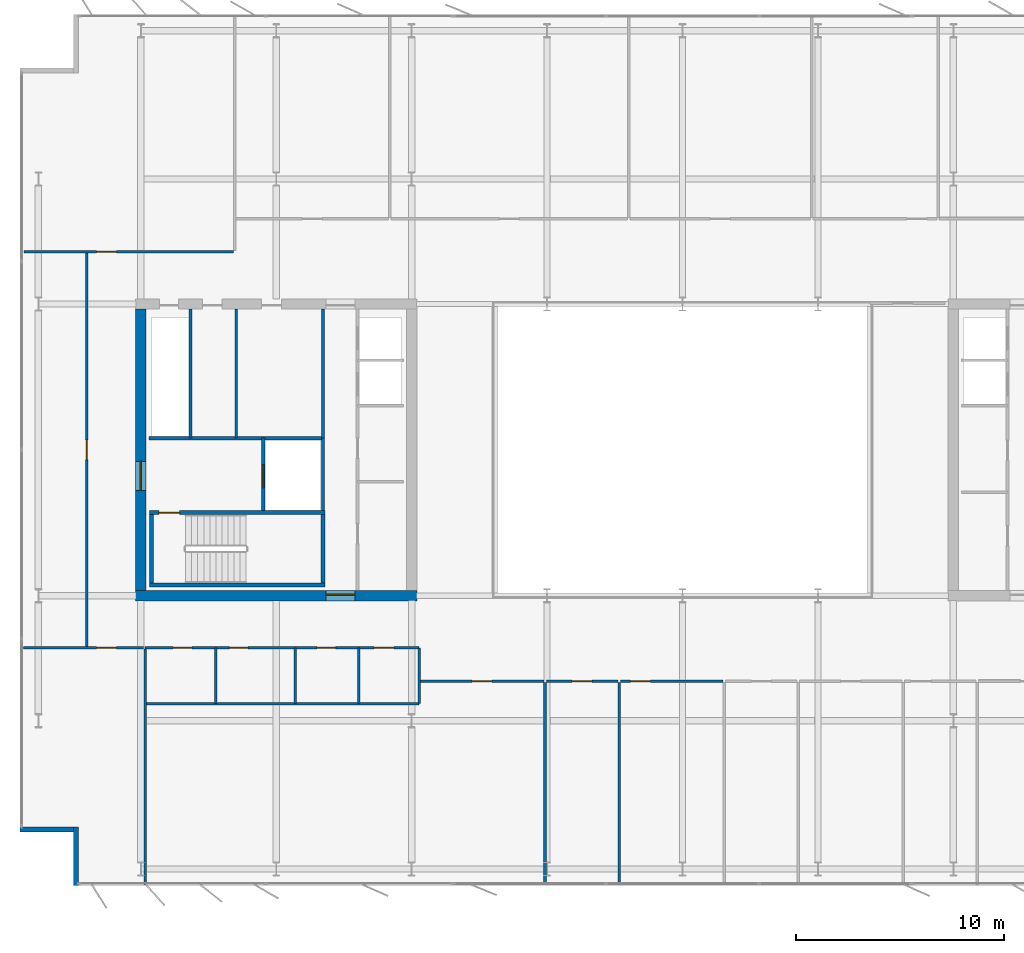
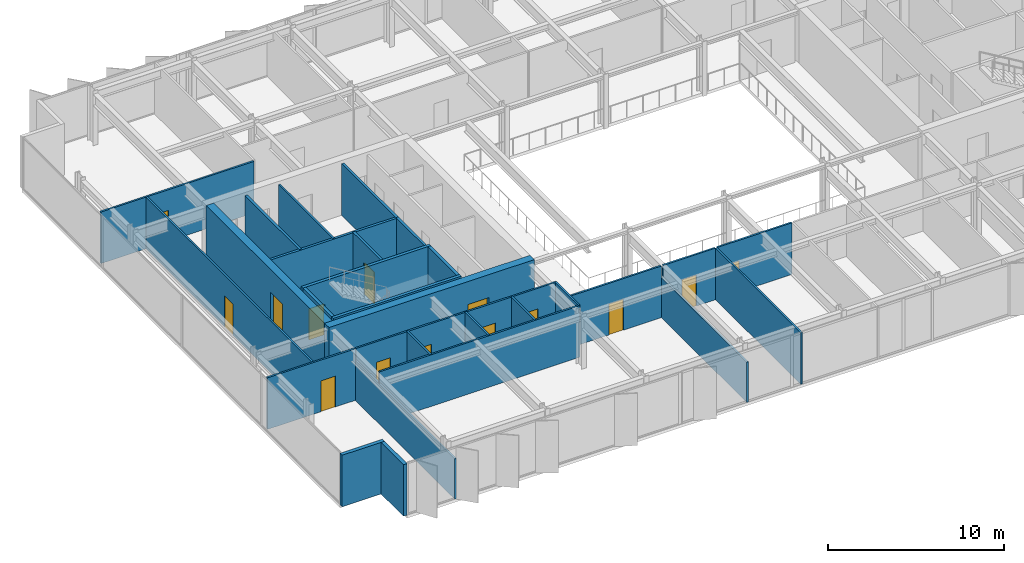
# One storey, part 12 of 19: 29 walls, 14 doors, 14 openings.
"""IFC4 building model written with IfcOpenShell, lengths in metres."""

import ifcopenshell
import ifcopenshell.guid

model = None  # the IFC model being written
_history = None  # IfcOwnerHistory: only IFC2X3 demands one
_inside = {}  # id of a spatial element -> (the spatial element, [elements in it])
_under = {}  # id of a project, library or spatial element -> (it, [spatial elements below it])
_declared = {}  # id of a project -> (the project, [libraries it declares])
_typed = {}  # id of a type object -> (the type object, [elements of that type])
_made_of = {}  # id of a material, layer set ... -> (it, [elements and type objects made of it])


def new_model(schema):
    """Start an empty IFC model of exactly this schema.

    Asked for "IFC4X3", IfcOpenShell would pick the latest addendum, in which some entities
    have other attributes; the version numbers below select the first issue.
    IFC2X3 requires an IfcOwnerHistory on every rooted entity: one is made here for all.
    """
    global model, _history
    if schema == "IFC4X3":
        model = ifcopenshell.file(schema_version=(4, 3, 0, 0))
    else:
        model = ifcopenshell.file(schema=schema)
    _inside.clear()
    _under.clear()
    _declared.clear()
    _typed.clear()
    _made_of.clear()
    _history = None
    if model.schema == "IFC2X3":
        org = make("IfcOrganization", Name="unknown")
        user = make(
            "IfcPersonAndOrganization",
            ThePerson=make("IfcPerson", FamilyName="unknown"),
            TheOrganization=org,
        )
        app = make(
            "IfcApplication",
            ApplicationDeveloper=org,
            Version="unknown",
            ApplicationFullName="unknown",
            ApplicationIdentifier="unknown",
        )
        _history = make(
            "IfcOwnerHistory",
            OwningUser=user,
            OwningApplication=app,
            ChangeAction="ADDED",
            CreationDate=0,
        )
    return model


def make(cls, **values):
    """One entity of the class cls with the attributes given. An attribute that is None is left unset."""
    return model.create_entity(
        cls, **{name: value for name, value in values.items() if value is not None}
    )


def rooted(cls, **values):
    """An entity with a GlobalId (a new one), such as an element, a storey or a relation."""
    return make(cls, GlobalId=ifcopenshell.guid.new(), OwnerHistory=_history, **values)


def si_unit(unit_type, name, prefix=None):
    """IfcSIUnit, for example si_unit("LENGTHUNIT", "METRE", prefix="MILLI")."""
    return make("IfcSIUnit", UnitType=unit_type, Prefix=prefix, Name=name)


def assignment(units):
    """IfcUnitAssignment: the units of a project."""
    return None if units is None else make("IfcUnitAssignment", Units=units)


def point(xyz):
    """IfcCartesianPoint."""
    return None if xyz is None else make("IfcCartesianPoint", Coordinates=xyz)


def direction(xyz):
    """IfcDirection."""
    return None if xyz is None else make("IfcDirection", DirectionRatios=xyz)


def frame(location, z_axis=None, x_axis=None):
    """IfcAxis2Placement3D, a coordinate frame: its origin and axes. An axis left out is left unset."""
    return make(
        "IfcAxis2Placement3D",
        Location=point(location),
        Axis=direction(z_axis),
        RefDirection=direction(x_axis),
    )


def frame_2d(location, x_axis=None):
    """IfcAxis2Placement2D, a coordinate frame in the plane: its origin and x axis."""
    return make(
        "IfcAxis2Placement2D", Location=point(location), RefDirection=direction(x_axis)
    )


def origin():
    """The frame at (0, 0, 0) with its axes left unset."""
    return frame((0.0, 0.0, 0.0))


def place(relative_to, where):
    """IfcLocalPlacement: puts the frame where relative to a parent placement (None: the world)."""
    return make(
        "IfcLocalPlacement", PlacementRelTo=relative_to, RelativePlacement=where
    )


def context(
    kind, dimensions, precision=None, world=None, true_north=None, identifier=None
):
    """IfcGeometricRepresentationContext, for example the 3D "Model" context."""
    return make(
        "IfcGeometricRepresentationContext",
        ContextIdentifier=identifier,
        ContextType=kind,
        CoordinateSpaceDimension=dimensions,
        Precision=precision,
        WorldCoordinateSystem=world,
        TrueNorth=true_north,
    )


def subcontext(parent, identifier, kind, view, scale=None):
    """IfcGeometricRepresentationSubContext, for example "Body" below "Model"."""
    return make(
        "IfcGeometricRepresentationSubContext",
        ContextIdentifier=identifier,
        ContextType=kind,
        ParentContext=parent,
        TargetScale=scale,
        TargetView=view,
    )


def project(units=None, contexts=None):
    """IfcProject with its units and contexts."""
    return rooted(
        "IfcProject",
        Name="project",
        RepresentationContexts=contexts,
        UnitsInContext=assignment(units),
    )


def spatial(cls, under=None, at=None, **own):
    """A site, building, storey or space (cls), placed at a placement, below another one or the project."""
    s = rooted(cls, ObjectPlacement=at, **own)
    if under is not None:
        _under.setdefault(under.id(), (under, []))[1].append(s)
    return s


def profile(cls, at=None, kind="AREA", **sizes):
    """A parametric profile (cls). Its sizes go by their IFC names, for example OverallWidth=200.0."""
    return make(cls, ProfileType=kind, Position=at, **sizes)


def rectangle(**sizes):
    """IfcRectangleProfileDef."""
    return profile("IfcRectangleProfileDef", **sizes)


def extrude(swept, where, along, depth):
    """IfcExtrudedAreaSolid: the profile swept, set in the frame where, extruded along a direction by depth."""
    return make(
        "IfcExtrudedAreaSolid",
        SweptArea=swept,
        Position=where,
        ExtrudedDirection=direction(along),
        Depth=depth,
    )


def shape(context_of_items, identifier, shape_type, items):
    """IfcShapeRepresentation: the items that make up one representation, for example the "Body"."""
    return make(
        "IfcShapeRepresentation",
        ContextOfItems=context_of_items,
        RepresentationIdentifier=identifier,
        RepresentationType=shape_type,
        Items=items,
    )


def material(Name=None, Category=None):
    """IfcMaterial."""
    return make("IfcMaterial", Name=Name, Category=Category)


def layer(
    of_material, thickness, ventilated=None, Name=None, Category=None, Priority=None
):
    """IfcMaterialLayer: one layer of a wall or slab, of a material (None: an air gap)."""
    return make(
        "IfcMaterialLayer",
        Material=of_material,
        LayerThickness=thickness,
        IsVentilated=ventilated,
        Name=Name,
        Category=Category,
        Priority=Priority,
    )


def layer_set(layers, Name=None):
    """IfcMaterialLayerSet."""
    return make("IfcMaterialLayerSet", MaterialLayers=layers, LayerSetName=Name)


def made_of(thing, what):
    """Note that an element or type object is made of a material, layer set ...; save() writes the relation."""
    if what is not None:
        _made_of.setdefault(what.id(), (what, []))[1].append(thing)
    return thing


def type_object(cls, material=None, **own):
    """A type object (cls), such as IfcWallType, which elements share."""
    return made_of(rooted(cls, **own), material)


def element(
    cls,
    number,
    at=None,
    inside=None,
    cuts=None,
    type_object=None,
    material=None,
    context=None,
    identifier="Body",
    shape_type=None,
    held_by="IfcProductDefinitionShape",
    body=None,
    shapes=None,
    **own,
):
    """One element of the class cls, such as IfcWall. Its Tag is "e" and its number.

    at: its placement. inside: the storey or other place that contains it. cuts: it is an
    opening in that element (IfcRelVoidsElement). A single representation is given by context,
    identifier, shape_type and body (its items); several are given by shapes. held_by: the class
    of the entity that holds the representations. save() writes the other relations.
    """
    e = rooted(cls, Tag="e%d" % number, ObjectPlacement=at, **own)
    if body is not None:
        shapes = [shape(context, identifier, shape_type, body)]
    if shapes is not None:
        e.Representation = make(held_by, Representations=shapes)
    if inside is not None:
        _inside.setdefault(inside.id(), (inside, []))[1].append(e)
    if cuts is not None:
        rooted(
            "IfcRelVoidsElement", RelatingBuildingElement=cuts, RelatedOpeningElement=e
        )
    if type_object is not None:
        _typed.setdefault(type_object.id(), (type_object, []))[1].append(e)
    return made_of(e, material)


def fill(opening, filler):
    """IfcRelFillsElement: the door or window that sits in an opening."""
    return rooted(
        "IfcRelFillsElement",
        RelatingOpeningElement=opening,
        RelatedBuildingElement=filler,
    )


def aggregate(whole, parts):
    """IfcRelAggregates: a whole, such as a stair, and the parts it consists of."""
    return rooted("IfcRelAggregates", RelatingObject=whole, RelatedObjects=parts)


def save(model, path):
    """Write the relations noted so far, then the file.

    IfcRelAggregates (storeys below a building ...), IfcRelContainedInSpatialStructure (elements
    in a storey), IfcRelDefinesByType, IfcRelAssociatesMaterial and IfcRelDeclares: one each for
    every whole, place, type object, material and project.
    """
    for whole, parts in _under.values():
        aggregate(whole, parts)
    for where, things in _inside.values():
        rooted(
            "IfcRelContainedInSpatialStructure",
            RelatedElements=things,
            RelatingStructure=where,
        )
    for kind, things in _typed.values():
        rooted("IfcRelDefinesByType", RelatedObjects=things, RelatingType=kind)
    for what, things in _made_of.values():
        rooted("IfcRelAssociatesMaterial", RelatedObjects=things, RelatingMaterial=what)
    for by, libraries in _declared.values():
        rooted("IfcRelDeclares", RelatingContext=by, RelatedDefinitions=libraries)
    model.write(path)


model = new_model("IFC4")

# Units and contexts
model_context = context("Model", 3, precision=1e-05, world=origin(), true_north=direction((0.0, 1.0)))
body_context = subcontext(model_context, "Body", "Model", "MODEL_VIEW")
ifc_project = project(units=[si_unit("LENGTHUNIT", "METRE"), si_unit("AREAUNIT", "SQUARE_METRE"), si_unit("VOLUMEUNIT", "CUBIC_METRE"), si_unit("PLANEANGLEUNIT", "RADIAN"), si_unit("MASSUNIT", "GRAM", prefix="KILO")], contexts=[model_context])

# Site, building, storey
site_placement = place(None, origin())
site = spatial("IfcSite", under=ifc_project, at=site_placement, CompositionType="ELEMENT")
building_placement = place(site_placement, origin())
building = spatial("IfcBuilding", under=site, at=building_placement, Name="Putna Gate Headquarters", CompositionType="ELEMENT")
storey_placement = place(building_placement, frame((0.0, 0.0, 267.0)))
storey = spatial("IfcBuildingStorey", under=building, at=storey_placement, Name="L67", CompositionType="ELEMENT", Elevation=267.0)

# Wall, opening, door
ifc_material_1 = material(Name="Concrete C50/60", Category="concrete")
ifc_layer_1 = layer(ifc_material_1, 0.5)
ifc_layer_set_1 = layer_set([ifc_layer_1], Name="Concrete C50/60")
wall_type_1 = type_object("IfcWallType", Name="WALL-CORE-500", PredefinedType="SHEAR", material=ifc_layer_set_1)
wall_1_placement = place(storey_placement, frame((12.75, 19.0, 0.0), z_axis=(0.0, 0.0, 1.0), x_axis=(1.0, 0.0, 0.0)))
wall_1 = element("IfcWall", 1, at=wall_1_placement, inside=storey, type_object=wall_type_1, Name="L67 WC Split Core Shear Wall S", PredefinedType="SHEAR", context=body_context, shape_type="SweptSolid", body=[
    extrude(rectangle(XDim=13.5, YDim=0.5, at=frame_2d((6.75, 0.0))), origin(), (0.0, 0.0, 1.0), 3.800048828125),
])
opening_1_placement = place(wall_1_placement, frame((9.1298828125, 0.0, 0.0)))
opening_1 = element("IfcOpeningElement", 2, at=opening_1_placement, cuts=wall_1, Name="Opening FDD-140", PredefinedType="OPENING", context=body_context, shape_type="SweptSolid", body=[
    extrude(rectangle(XDim=1.39990234375, YDim=2.199951171875, at=frame_2d((0.699951171875, 1.10009765625))), frame((0.0, 0.260009765625, 0.0), z_axis=(0.0, -1.0, 0.0), x_axis=(1.0, 0.0, 0.0)), (0.0, 0.0, 1.0), 0.52001953125),
])
ifc_material_2 = material(Name="Double steel fire door", Category="steel")
door_type_1 = type_object("IfcDoorType", Name="DOOR-FIRE-DBL-1400", OperationType="DOUBLE_DOOR_SINGLE_SWING", PredefinedType="DOOR", material=ifc_material_2)
door_1_placement = place(opening_1_placement, origin())
door_1 = element("IfcDoor", 3, at=door_1_placement, inside=storey, type_object=door_type_1, Name="L67 West Lift Lobby South Door", OperationType="DOUBLE_DOOR_SINGLE_SWING", OverallHeight=2.199951171875, OverallWidth=1.39990234375, PredefinedType="DOOR", context=body_context, shape_type="SweptSolid", body=[
    extrude(rectangle(XDim=1.39990234375, YDim=2.199951171875, at=frame_2d((0.699951171875, 1.10009765625))), frame((0.0, 0.0751953125, 0.0), z_axis=(0.0, -1.0, 0.0), x_axis=(1.0, 0.0, 0.0)), (0.0, 0.0, 1.0), 0.050048828125),
])
fill(opening_1, door_1)

wall_2_placement = place(storey_placement, frame((13.0, 19.25, 0.0), z_axis=(0.0, 0.0, 1.0), x_axis=(0.0, 1.0, 0.0)))
wall_2 = element("IfcWall", 4, at=wall_2_placement, inside=storey, type_object=wall_type_1, Name="L67 WC Split Core Shear Wall W", PredefinedType="SHEAR", context=body_context, shape_type="SweptSolid", body=[
    extrude(rectangle(XDim=13.5, YDim=0.5, at=frame_2d((6.75, 0.0))), origin(), (0.0, 0.0, 1.0), 3.800048828125),
])
opening_2_placement = place(wall_2_placement, frame((4.800048828125, 0.0, 0.0)))
opening_2 = element("IfcOpeningElement", 5, at=opening_2_placement, cuts=wall_2, Name="Opening FDD-140", PredefinedType="OPENING", context=body_context, shape_type="SweptSolid", body=[
    extrude(rectangle(XDim=1.39990234375, YDim=2.199951171875, at=frame_2d((0.699951171875, 1.10009765625))), frame((0.0, 0.260009765625, 0.0), z_axis=(0.0, -1.0, 0.0), x_axis=(1.0, 0.0, 0.0)), (0.0, 0.0, 1.0), 0.52001953125),
])
door_2_placement = place(opening_2_placement, origin())
door_2 = element("IfcDoor", 6, at=door_2_placement, inside=storey, type_object=door_type_1, Name="L67 West Firefighting Lobby Door", OperationType="DOUBLE_DOOR_SINGLE_SWING", OverallHeight=2.199951171875, OverallWidth=1.39990234375, PredefinedType="DOOR", context=body_context, shape_type="SweptSolid", body=[
    extrude(rectangle(XDim=1.39990234375, YDim=2.199951171875, at=frame_2d((0.699951171875, 1.10009765625))), frame((0.0, 0.02490234375, 0.0), z_axis=(0.0, -1.0, 0.0), x_axis=(1.0, 0.0, 0.0)), (0.0, 0.0, 1.0), 0.050048828125),
])
fill(opening_2, door_2)

# Walls
ifc_material_3 = material(Name="Precast concrete C40/50", Category="concrete")
ifc_layer_2 = layer(ifc_material_3, 0.239990234375)
ifc_layer_set_2 = layer_set([ifc_layer_2], Name="Precast concrete C40/50")
wall_type_2 = type_object("IfcWallType", Name="WALL-EXT-TERR-240", PredefinedType="STANDARD", material=ifc_layer_set_2)
wall_3_placement = place(storey_placement, frame((9.8798828125, 5.10009765625, 0.0), z_axis=(0.0, 0.0, 1.0), x_axis=(0.0, 1.0, 0.0)))
element("IfcWall", 7, at=wall_3_placement, inside=storey, type_object=wall_type_2, Name="L67 Corner Notch Return Wall SW-V", PredefinedType="STANDARD", context=body_context, shape_type="SweptSolid", body=[
    extrude(rectangle(XDim=2.7998046875, YDim=0.239990234375, at=frame_2d((1.39990234375, 0.0))), origin(), (0.0, 0.0, 1.0), 3.587890625),
])
wall_4_placement = place(storey_placement, frame((10.0, 7.780029296875, 0.0), z_axis=(0.0, 0.0, 1.0), x_axis=(-1.0, 0.0, 0.0)))
element("IfcWall", 8, at=wall_4_placement, inside=storey, type_object=wall_type_2, Name="L67 Corner Notch Return Wall SW-H", PredefinedType="STANDARD", context=body_context, shape_type="SweptSolid", body=[
    extrude(rectangle(XDim=2.800048828125, YDim=0.239990234375, at=frame_2d((1.39990234375, 0.0))), origin(), (0.0, 0.0, 1.0), 3.587890625),
])
ifc_material_4 = material(Name="Acoustic gypsum board on metal stud")
ifc_layer_3 = layer(ifc_material_4, 0.1201171875)
ifc_layer_set_3 = layer_set([ifc_layer_3], Name="Acoustic gypsum board on metal stud")
wall_type_3 = type_object("IfcWallType", Name="WALL-PART-120", PredefinedType="PARTITIONING", material=ifc_layer_set_3)
wall_5_placement = place(storey_placement, frame((13.199951171875, 5.1201171875, 0.0), z_axis=(0.0, 0.0, 1.0), x_axis=(0.0, 1.0, 0.0)))
element("IfcWall", 9, at=wall_5_placement, inside=storey, type_object=wall_type_3, Name="L67 Interior Wall PART-L67-SB-DIV-01", PredefinedType="PARTITIONING", context=body_context, shape_type="SweptSolid", body=[
    extrude(rectangle(XDim=11.31982421875, YDim=0.1201171875, at=frame_2d((5.659912109375, 0.0))), origin(), (0.0, 0.0, 1.0), 2.7880859375),
])
wall_6_placement = place(storey_placement, frame((32.39990234375, 5.1201171875, 0.0), z_axis=(0.0, 0.0, 1.0), x_axis=(0.0, 1.0, 0.0)))
element("IfcWall", 10, at=wall_6_placement, inside=storey, type_object=wall_type_3, Name="L67 Interior Wall PART-L67-SB-DIV-02", PredefinedType="PARTITIONING", context=body_context, shape_type="SweptSolid", body=[
    extrude(rectangle(XDim=9.719970703125, YDim=0.1201171875, at=frame_2d((4.85986328125, 0.0))), origin(), (0.0, 0.0, 1.0), 2.7880859375),
])
wall_7_placement = place(storey_placement, frame((35.964599609375, 5.1201171875, 0.0), z_axis=(0.0, 0.0, 1.0), x_axis=(0.0, 1.0, 0.0)))
element("IfcWall", 11, at=wall_7_placement, inside=storey, type_object=wall_type_3, Name="L67 Interior Wall PART-L67-SB-DIV-03", PredefinedType="PARTITIONING", context=body_context, shape_type="SweptSolid", body=[
    extrude(rectangle(XDim=9.719970703125, YDim=0.1201171875, at=frame_2d((4.85986328125, 0.0))), origin(), (0.0, 0.0, 1.0), 3.587890625),
])
ifc_material_5 = material(Name="Fire-rated gypsum board on metal stud")
ifc_layer_4 = layer(ifc_material_5, 0.1201171875)
ifc_layer_set_4 = layer_set([ifc_layer_4], Name="Fire-rated gypsum board on metal stud")
wall_type_4 = type_object("IfcWallType", Name="WALL-PART-120-RATED", PredefinedType="PARTITIONING", material=ifc_layer_set_4)
wall_8_placement = place(storey_placement, frame((17.570068359375, 26.56005859375, 0.0), z_axis=(0.0, 0.0, 1.0), x_axis=(0.0, 1.0, 0.0)))
element("IfcWall", 12, at=wall_8_placement, inside=storey, type_object=wall_type_4, Name="L67 Interior Wall CWINT-L67-WC-K1-DIV", PredefinedType="PARTITIONING", context=body_context, shape_type="SweptSolid", body=[
    extrude(rectangle(XDim=6.18994140625, YDim=0.1201171875, at=frame_2d((3.094970703125, 0.0))), origin(), (0.0, 0.0, 1.0), 3.587890625),
])

# Wall, openings, doors
wall_9_placement = place(storey_placement, frame((13.199951171875, 16.5, 0.0), z_axis=(0.0, 0.0, 1.0), x_axis=(1.0, 0.0, 0.0)))
wall_9 = element("IfcWall", 13, at=wall_9_placement, inside=storey, type_object=wall_type_4, Name="L67 Interior Wall PART-L67-SAN-CW", PredefinedType="PARTITIONING", context=body_context, shape_type="SweptSolid", body=[
    extrude(rectangle(XDim=13.16015625, YDim=0.1201171875, at=frame_2d((6.580078125, 0.0))), origin(), (0.0, 0.0, 1.0), 3.587890625),
])
opening_3_placement = place(wall_9_placement, frame((1.35009765625, 0.0, 0.0)))
opening_3 = element("IfcOpeningElement", 14, at=opening_3_placement, cuts=wall_9, Name="Opening FD-90", PredefinedType="OPENING", context=body_context, shape_type="SweptSolid", body=[
    extrude(rectangle(XDim=0.89990234375, YDim=2.14990234375, at=frame_2d((0.449951171875, 1.074951171875))), frame((0.0, 0.070068359375, 0.0), z_axis=(0.0, -1.0, 0.0), x_axis=(1.0, 0.0, 0.0)), (0.0, 0.0, 1.0), 0.14013671875),
])
opening_4_placement = place(wall_9_placement, frame((4.050048828125, 0.0, 0.0)))
opening_4 = element("IfcOpeningElement", 15, at=opening_4_placement, cuts=wall_9, Name="Opening FD-90", PredefinedType="OPENING", context=body_context, shape_type="SweptSolid", body=[
    extrude(rectangle(XDim=0.89990234375, YDim=2.14990234375, at=frame_2d((0.449951171875, 1.074951171875))), frame((0.0, 0.070068359375, 0.0), z_axis=(0.0, -1.0, 0.0), x_axis=(1.0, 0.0, 0.0)), (0.0, 0.0, 1.0), 0.14013671875),
])
opening_5_placement = place(wall_9_placement, frame((8.25, 0.0, 0.0)))
opening_5 = element("IfcOpeningElement", 16, at=opening_5_placement, cuts=wall_9, Name="Opening FD-90", PredefinedType="OPENING", context=body_context, shape_type="SweptSolid", body=[
    extrude(rectangle(XDim=0.89990234375, YDim=2.14990234375, at=frame_2d((0.449951171875, 1.074951171875))), frame((0.0, 0.070068359375, 0.0), z_axis=(0.0, -1.0, 0.0), x_axis=(1.0, 0.0, 0.0)), (0.0, 0.0, 1.0), 0.14013671875),
])
opening_6_placement = place(wall_9_placement, frame((11.0, 0.0, 0.0)))
opening_6 = element("IfcOpeningElement", 17, at=opening_6_placement, cuts=wall_9, Name="Opening FD-95", PredefinedType="OPENING", context=body_context, shape_type="SweptSolid", body=[
    extrude(rectangle(XDim=0.949951171875, YDim=2.14990234375, at=frame_2d((0.47509765625, 1.074951171875))), frame((0.0, 0.070068359375, 0.0), z_axis=(0.0, -1.0, 0.0), x_axis=(1.0, 0.0, 0.0)), (0.0, 0.0, 1.0), 0.14013671875),
])
ifc_material_6 = material(Name="Acoustic washroom fire door")
door_type_2 = type_object("IfcDoorType", Name="DOOR-FIRE-900", OperationType="NOTDEFINED", PredefinedType="DOOR", material=ifc_material_6)
door_3_placement = place(opening_3_placement, origin())
door_3 = element("IfcDoor", 18, at=door_3_placement, inside=storey, type_object=door_type_2, Name="L67 Washroom Male Door", OperationType="SINGLE_SWING_RIGHT", OverallHeight=2.14990234375, OverallWidth=0.89990234375, PredefinedType="DOOR", context=body_context, shape_type="SweptSolid", body=[
    extrude(rectangle(XDim=0.89990234375, YDim=2.14990234375, at=frame_2d((0.449951171875, 1.074951171875))), frame((0.0, 0.02490234375, 0.0), z_axis=(0.0, -1.0, 0.0), x_axis=(1.0, 0.0, 0.0)), (0.0, 0.0, 1.0), 0.050048828125),
])
fill(opening_3, door_3)
door_4_placement = place(opening_4_placement, origin())
door_4 = element("IfcDoor", 19, at=door_4_placement, inside=storey, type_object=door_type_2, Name="L67 Washroom Female Door", OperationType="SINGLE_SWING_LEFT", OverallHeight=2.14990234375, OverallWidth=0.89990234375, PredefinedType="DOOR", context=body_context, shape_type="SweptSolid", body=[
    extrude(rectangle(XDim=0.89990234375, YDim=2.14990234375, at=frame_2d((0.449951171875, 1.074951171875))), frame((0.0, 0.02490234375, 0.0), z_axis=(0.0, -1.0, 0.0), x_axis=(1.0, 0.0, 0.0)), (0.0, 0.0, 1.0), 0.050048828125),
])
fill(opening_4, door_4)
door_5_placement = place(opening_5_placement, origin())
door_5 = element("IfcDoor", 20, at=door_5_placement, inside=storey, type_object=door_type_2, Name="L67 Accessible WC Door", OperationType="SINGLE_SWING_RIGHT", OverallHeight=2.14990234375, OverallWidth=0.89990234375, PredefinedType="DOOR", context=body_context, shape_type="SweptSolid", body=[
    extrude(rectangle(XDim=0.89990234375, YDim=2.14990234375, at=frame_2d((0.449951171875, 1.074951171875))), frame((0.0, 0.02490234375, 0.0), z_axis=(0.0, -1.0, 0.0), x_axis=(1.0, 0.0, 0.0)), (0.0, 0.0, 1.0), 0.050048828125),
])
fill(opening_5, door_5)
ifc_material_7 = material(Name="Acoustic timber fire door", Category="wood")
door_type_3 = type_object("IfcDoorType", Name="DOOR-FIRE-950", OperationType="NOTDEFINED", PredefinedType="DOOR", material=ifc_material_7)
door_6_placement = place(opening_6_placement, origin())
door_6 = element("IfcDoor", 21, at=door_6_placement, inside=storey, type_object=door_type_3, Name="L67 Staff Pantry and Tea Point Door", OperationType="SINGLE_SWING_LEFT", OverallHeight=2.14990234375, OverallWidth=0.949951171875, PredefinedType="DOOR", context=body_context, shape_type="SweptSolid", body=[
    extrude(rectangle(XDim=0.949951171875, YDim=2.14990234375, at=frame_2d((0.47509765625, 1.074951171875))), frame((0.0, 0.02490234375, 0.0), z_axis=(0.0, -1.0, 0.0), x_axis=(1.0, 0.0, 0.0)), (0.0, 0.0, 1.0), 0.050048828125),
])
fill(opening_6, door_6)

# Walls
wall_10_placement = place(storey_placement, frame((13.199951171875, 13.820068359375, 0.0), z_axis=(0.0, 0.0, 1.0), x_axis=(1.0, 0.0, 0.0)))
element("IfcWall", 22, at=wall_10_placement, inside=storey, type_object=wall_type_4, Name="L67 Interior Wall PART-L67-SAN-BACK", PredefinedType="PARTITIONING", context=body_context, shape_type="SweptSolid", body=[
    extrude(rectangle(XDim=13.16015625, YDim=0.1201171875, at=frame_2d((6.580078125, 0.0))), origin(), (0.0, 0.0, 1.0), 3.587890625),
])
for number, where, z_axis, x_axis, name in (
    (23, (16.60009765625, 13.820068359375, 0.0), (0.0, 0.0, 1.0), (0.0, 1.0, 0.0), "L67 Interior Wall PART-L67-SAN-DIV-1"),
    (24, (20.419921875, 13.820068359375, 0.0), (0.0, 0.0, 1.0), (0.0, 1.0, 0.0), "L67 Interior Wall PART-L67-SAN-DIV-2"),
    (25, (23.4599609375, 13.820068359375, 0.0), (0.0, 0.0, 1.0), (0.0, 1.0, 0.0), "L67 Interior Wall PART-L67-SAN-DIV-3"),
    (26, (26.360107421875, 13.820068359375, 0.0), (0.0, 0.0, 1.0), (0.0, 1.0, 0.0), "L67 Interior Wall PART-L67-SAN-DIV-4"),
):
    element("IfcWall", number, at=place(storey_placement, frame(where, z_axis=z_axis, x_axis=x_axis)), inside=storey, type_object=wall_type_4, Name=name, PredefinedType="PARTITIONING", context=body_context, shape_type="SweptSolid", body=[
        extrude(rectangle(XDim=2.679931640625, YDim=0.1201171875, at=frame_2d((1.33984375, 0.0))), origin(), (0.0, 0.0, 1.0), 3.587890625),
    ])

# Wall, opening, door
wall_11_placement = place(storey_placement, frame((7.3798828125, 35.5, 0.0), z_axis=(0.0, 0.0, 1.0), x_axis=(1.0, 0.0, 0.0)))
wall_11 = element("IfcWall", 27, at=wall_11_placement, inside=storey, type_object=wall_type_4, Name="L67 Interior Wall PART-L67-NB-CW-01", PredefinedType="PARTITIONING", context=body_context, shape_type="SweptSolid", body=[
    extrude(rectangle(XDim=10.073974609375, YDim=0.1201171875, at=frame_2d((5.037109375, 0.0))), origin(), (0.0, 0.0, 1.0), 3.587890625),
])
opening_7_placement = place(wall_11_placement, frame((3.5, 0.0, 0.0)))
opening_7 = element("IfcOpeningElement", 28, at=opening_7_placement, cuts=wall_11, Name="Opening FD-95", PredefinedType="OPENING", context=body_context, shape_type="SweptSolid", body=[
    extrude(rectangle(XDim=0.949951171875, YDim=2.14990234375, at=frame_2d((0.47509765625, 1.074951171875))), frame((0.0, 0.070068359375, 0.0), z_axis=(0.0, -1.0, 0.0), x_axis=(1.0, 0.0, 0.0)), (0.0, 0.0, 1.0), 0.14013671875),
])
door_7_placement = place(opening_7_placement, origin())
door_7 = element("IfcDoor", 29, at=door_7_placement, inside=storey, type_object=door_type_3, Name="L67 Collaborative Breakout Lounge 2 Door", OperationType="SINGLE_SWING_RIGHT", OverallHeight=2.14990234375, OverallWidth=0.949951171875, PredefinedType="DOOR", context=body_context, shape_type="SweptSolid", body=[
    extrude(rectangle(XDim=0.949951171875, YDim=2.14990234375, at=frame_2d((0.47509765625, 1.074951171875))), frame((0.0, 0.02490234375, 0.0), z_axis=(0.0, -1.0, 0.0), x_axis=(1.0, 0.0, 0.0)), (0.0, 0.0, 1.0), 0.050048828125),
])
fill(opening_7, door_7)

wall_12_placement = place(storey_placement, frame((7.3798828125, 16.5, 0.0), z_axis=(0.0, 0.0, 1.0), x_axis=(1.0, 0.0, 0.0)))
wall_12 = element("IfcWall", 30, at=wall_12_placement, inside=storey, type_object=wall_type_4, Name="L67 Interior Wall PART-L67-SB-CW-01", PredefinedType="PARTITIONING", context=body_context, shape_type="SweptSolid", body=[
    extrude(rectangle(XDim=5.760009765625, YDim=0.1201171875, at=frame_2d((2.8798828125, 0.0))), origin(), (0.0, 0.0, 1.0), 3.587890625),
])
opening_8_placement = place(wall_12_placement, frame((3.5, 0.0, 0.0)))
opening_8 = element("IfcOpeningElement", 31, at=opening_8_placement, cuts=wall_12, Name="Opening FD-95", PredefinedType="OPENING", context=body_context, shape_type="SweptSolid", body=[
    extrude(rectangle(XDim=0.949951171875, YDim=2.14990234375, at=frame_2d((0.47509765625, 1.074951171875))), frame((0.0, 0.070068359375, 0.0), z_axis=(0.0, -1.0, 0.0), x_axis=(1.0, 0.0, 0.0)), (0.0, 0.0, 1.0), 0.14013671875),
])
door_8_placement = place(opening_8_placement, origin())
door_8 = element("IfcDoor", 32, at=door_8_placement, inside=storey, type_object=door_type_3, Name="L67 Quiet Wellness Focus Studio 1 Door", OperationType="SINGLE_SWING_LEFT", OverallHeight=2.14990234375, OverallWidth=0.949951171875, PredefinedType="DOOR", context=body_context, shape_type="SweptSolid", body=[
    extrude(rectangle(XDim=0.949951171875, YDim=2.14990234375, at=frame_2d((0.47509765625, 1.074951171875))), frame((0.0, 0.02490234375, 0.0), z_axis=(0.0, -1.0, 0.0), x_axis=(1.0, 0.0, 0.0)), (0.0, 0.0, 1.0), 0.050048828125),
])
fill(opening_8, door_8)

wall_13_placement = place(storey_placement, frame((26.419921875, 14.89990234375, 0.0), z_axis=(0.0, 0.0, 1.0), x_axis=(1.0, 0.0, 0.0)))
wall_13 = element("IfcWall", 33, at=wall_13_placement, inside=storey, type_object=wall_type_4, Name="L67 Interior Wall PART-L67-SB-CW-02", PredefinedType="PARTITIONING", context=body_context, shape_type="SweptSolid", body=[
    extrude(rectangle(XDim=5.920166015625, YDim=0.1201171875, at=frame_2d((2.9599609375, 0.0))), origin(), (0.0, 0.0, 1.0), 3.587890625),
])
opening_9_placement = place(wall_13_placement, frame((2.485107421875, 0.0, 0.0)))
opening_9 = element("IfcOpeningElement", 34, at=opening_9_placement, cuts=wall_13, Name="Opening FD-95", PredefinedType="OPENING", context=body_context, shape_type="SweptSolid", body=[
    extrude(rectangle(XDim=0.949951171875, YDim=2.14990234375, at=frame_2d((0.47509765625, 1.074951171875))), frame((0.0, 0.070068359375, 0.0), z_axis=(0.0, -1.0, 0.0), x_axis=(1.0, 0.0, 0.0)), (0.0, 0.0, 1.0), 0.14013671875),
])
door_9_placement = place(opening_9_placement, origin())
door_9 = element("IfcDoor", 35, at=door_9_placement, inside=storey, type_object=door_type_3, Name="L67 Primary Open Office Workplace Door", OperationType="SINGLE_SWING_RIGHT", OverallHeight=2.14990234375, OverallWidth=0.949951171875, PredefinedType="DOOR", context=body_context, shape_type="SweptSolid", body=[
    extrude(rectangle(XDim=0.949951171875, YDim=2.14990234375, at=frame_2d((0.47509765625, 1.074951171875))), frame((0.0, 0.02490234375, 0.0), z_axis=(0.0, -1.0, 0.0), x_axis=(1.0, 0.0, 0.0)), (0.0, 0.0, 1.0), 0.050048828125),
])
fill(opening_9, door_9)

wall_14_placement = place(storey_placement, frame((32.4599609375, 14.89990234375, 0.0), z_axis=(0.0, 0.0, 1.0), x_axis=(1.0, 0.0, 0.0)))
wall_14 = element("IfcWall", 36, at=wall_14_placement, inside=storey, type_object=wall_type_4, Name="L67 Interior Wall PART-L67-SB-CW-03", PredefinedType="PARTITIONING", context=body_context, shape_type="SweptSolid", body=[
    extrude(rectangle(XDim=3.44482421875, YDim=0.1201171875, at=frame_2d((1.722412109375, 0.0))), origin(), (0.0, 0.0, 1.0), 3.587890625),
])
opening_10_placement = place(wall_14_placement, frame((1.247314453125, 0.0, 0.0)))
opening_10 = element("IfcOpeningElement", 37, at=opening_10_placement, cuts=wall_14, Name="Opening FD-95", PredefinedType="OPENING", context=body_context, shape_type="SweptSolid", body=[
    extrude(rectangle(XDim=0.949951171875, YDim=2.14990234375, at=frame_2d((0.47509765625, 1.074951171875))), frame((0.0, 0.070068359375, 0.0), z_axis=(0.0, -1.0, 0.0), x_axis=(1.0, 0.0, 0.0)), (0.0, 0.0, 1.0), 0.14013671875),
])
door_10_placement = place(opening_10_placement, origin())
door_10 = element("IfcDoor", 38, at=door_10_placement, inside=storey, type_object=door_type_3, Name="L67 Cellular Office 5 Door", OperationType="SINGLE_SWING_LEFT", OverallHeight=2.14990234375, OverallWidth=0.949951171875, PredefinedType="DOOR", context=body_context, shape_type="SweptSolid", body=[
    extrude(rectangle(XDim=0.949951171875, YDim=2.14990234375, at=frame_2d((0.47509765625, 1.074951171875))), frame((0.0, 0.02490234375, 0.0), z_axis=(0.0, -1.0, 0.0), x_axis=(1.0, 0.0, 0.0)), (0.0, 0.0, 1.0), 0.050048828125),
])
fill(opening_10, door_10)

wall_15_placement = place(storey_placement, frame((36.024658203125, 14.89990234375, 0.0), z_axis=(0.0, 0.0, 1.0), x_axis=(1.0, 0.0, 0.0)))
wall_15 = element("IfcWall", 39, at=wall_15_placement, inside=storey, type_object=wall_type_4, Name="L67 Interior Wall PART-L67-SB-CW-04", PredefinedType="PARTITIONING", context=body_context, shape_type="SweptSolid", body=[
    extrude(rectangle(XDim=4.91259765625, YDim=0.1201171875, at=frame_2d((2.456298828125, 0.0))), origin(), (0.0, 0.0, 1.0), 3.587890625),
])
opening_11_placement = place(wall_15_placement, frame((0.47998046875, 0.0, 0.0)))
opening_11 = element("IfcOpeningElement", 40, at=opening_11_placement, cuts=wall_15, Name="Opening FD-95", PredefinedType="OPENING", context=body_context, shape_type="SweptSolid", body=[
    extrude(rectangle(XDim=0.949951171875, YDim=2.14990234375, at=frame_2d((0.47509765625, 1.074951171875))), frame((0.0, 0.070068359375, 0.0), z_axis=(0.0, -1.0, 0.0), x_axis=(1.0, 0.0, 0.0)), (0.0, 0.0, 1.0), 0.14013671875),
])
door_11_placement = place(opening_11_placement, origin())
door_11 = element("IfcDoor", 41, at=door_11_placement, inside=storey, type_object=door_type_3, Name="L67 Cellular Office 6 Door", OperationType="SINGLE_SWING_RIGHT", OverallHeight=2.14990234375, OverallWidth=0.949951171875, PredefinedType="DOOR", context=body_context, shape_type="SweptSolid", body=[
    extrude(rectangle(XDim=0.949951171875, YDim=2.14990234375, at=frame_2d((0.47509765625, 1.074951171875))), frame((0.0, 0.02490234375, 0.0), z_axis=(0.0, -1.0, 0.0), x_axis=(1.0, 0.0, 0.0)), (0.0, 0.0, 1.0), 0.050048828125),
])
fill(opening_11, door_11)

wall_16_placement = place(storey_placement, frame((10.39990234375, 16.5, 0.0), z_axis=(0.0, 0.0, 1.0), x_axis=(0.0, 1.0, 0.0)))
wall_16 = element("IfcWall", 42, at=wall_16_placement, inside=storey, type_object=wall_type_4, Name="L67 Interior Wall PART-L67-WW-CW-1", PredefinedType="PARTITIONING", context=body_context, shape_type="SweptSolid", body=[
    extrude(rectangle(XDim=19.0, YDim=0.1201171875, at=frame_2d((9.5, 0.0))), origin(), (0.0, 0.0, 1.0), 3.587890625),
])
opening_12_placement = place(wall_16_placement, frame((9.02490234375, 0.0, 0.0)))
opening_12 = element("IfcOpeningElement", 43, at=opening_12_placement, cuts=wall_16, Name="Opening FD-95", PredefinedType="OPENING", context=body_context, shape_type="SweptSolid", body=[
    extrude(rectangle(XDim=0.949951171875, YDim=2.14990234375, at=frame_2d((0.47509765625, 1.074951171875))), frame((0.0, 0.070068359375, 0.0), z_axis=(0.0, -1.0, 0.0), x_axis=(1.0, 0.0, 0.0)), (0.0, 0.0, 1.0), 0.14013671875),
])
door_12_placement = place(opening_12_placement, origin())
door_12 = element("IfcDoor", 44, at=door_12_placement, inside=storey, type_object=door_type_3, Name="L67 West Executive Office 1 Door", OperationType="SINGLE_SWING_RIGHT", OverallHeight=2.14990234375, OverallWidth=0.949951171875, PredefinedType="DOOR", context=body_context, shape_type="SweptSolid", body=[
    extrude(rectangle(XDim=0.949951171875, YDim=2.14990234375, at=frame_2d((0.47509765625, 1.074951171875))), frame((0.0, 0.02490234375, 0.0), z_axis=(0.0, -1.0, 0.0), x_axis=(1.0, 0.0, 0.0)), (0.0, 0.0, 1.0), 0.050048828125),
])
fill(opening_12, door_12)

# Wall
ifc_material_8 = material(Name="Concrete C40/50", Category="concrete")
ifc_layer_5 = layer(ifc_material_8, 0.159912109375)
ifc_layer_set_5 = layer_set([ifc_layer_5], Name="Concrete C40/50")
wall_type_5 = type_object("IfcWallType", Name="WALL-SHAFT-160", PredefinedType="STANDARD", material=ifc_layer_set_5)
wall_17_placement = place(storey_placement, frame((21.739990234375, 23.090087890625, 0.0), z_axis=(0.0, 0.0, 1.0), x_axis=(0.0, 1.0, 0.0)))
element("IfcWall", 45, at=wall_17_placement, inside=storey, type_object=wall_type_5, Name="L67 Interior Wall CWINT-L67-WC-FFL-E", PredefinedType="STANDARD", context=body_context, shape_type="SweptSolid", body=[
    extrude(rectangle(XDim=3.469970703125, YDim=0.159912109375, at=frame_2d((1.73486328125, 0.0))), origin(), (0.0, 0.0, 1.0), 3.587890625),
])

# Wall, opening, door
wall_18_placement = place(storey_placement, frame((18.8798828125, 23.090087890625, 0.0), z_axis=(0.0, 0.0, 1.0), x_axis=(0.0, 1.0, 0.0)))
wall_18 = element("IfcWall", 46, at=wall_18_placement, inside=storey, type_object=wall_type_5, Name="L67 Interior Wall CWINT-L67-WC-LF13-W", PredefinedType="STANDARD", context=body_context, shape_type="SweptSolid", body=[
    extrude(rectangle(XDim=3.469970703125, YDim=0.159912109375, at=frame_2d((1.73486328125, 0.0))), origin(), (0.0, 0.0, 1.0), 3.587890625),
])
opening_13_placement = place(wall_18_placement, frame((1.10009765625, 0.0, 0.0)))
opening_13 = element("IfcOpeningElement", 47, at=opening_13_placement, cuts=wall_18, Name="Opening LD-1", PredefinedType="OPENING", context=body_context, shape_type="SweptSolid", body=[
    extrude(rectangle(XDim=1.10009765625, YDim=2.199951171875, at=frame_2d((0.550048828125, 1.10009765625))), frame((0.0, 0.08984375, 0.0), z_axis=(0.0, -1.0, 0.0), x_axis=(1.0, 0.0, 0.0)), (0.0, 0.0, 1.0), 0.179931640625),
])
ifc_material_9 = material(Name="Brushed bronze stainless lift landing door")
door_type_4 = type_object("IfcDoorType", Name="DOOR-LIFT-1100", OperationType="DOUBLE_DOOR_SLIDING", PredefinedType="DOOR", material=ifc_material_9)
door_13_placement = place(opening_13_placement, origin())
door_13 = element("IfcDoor", 48, at=door_13_placement, inside=storey, type_object=door_type_4, Name="L67 Lift Landing Door LD-13", OperationType="DOUBLE_DOOR_SLIDING", OverallHeight=2.199951171875, OverallWidth=1.10009765625, PredefinedType="DOOR", context=body_context, shape_type="SweptSolid", body=[
    extrude(rectangle(XDim=1.10009765625, YDim=2.199951171875, at=frame_2d((0.550048828125, 1.10009765625))), frame((0.0, 0.02490234375, 0.0), z_axis=(0.0, -1.0, 0.0), x_axis=(1.0, 0.0, 0.0)), (0.0, 0.0, 1.0), 0.050048828125),
])
fill(opening_13, door_13)

# Walls
wall_19_placement = place(storey_placement, frame((13.39990234375, 26.56005859375, 0.0), z_axis=(0.0, 0.0, 1.0), x_axis=(1.0, 0.0, 0.0)))
element("IfcWall", 49, at=wall_19_placement, inside=storey, type_object=wall_type_5, Name="L67 Interior Wall CWINT-L67-WC-FFL-N", PredefinedType="STANDARD", context=body_context, shape_type="SweptSolid", body=[
    extrude(rectangle(XDim=8.340087890625, YDim=0.159912109375, at=frame_2d((4.169921875, 0.0))), origin(), (0.0, 0.0, 1.0), 3.587890625),
])
for number, where, z_axis, x_axis, name in (
    (50, (15.3798828125, 26.56005859375, 0.0), (0.0, 0.0, 1.0), (0.0, 1.0, 0.0), "L67 Interior Wall CWINT-L67-WC-RISER-E"),
    (51, (21.739990234375, 26.56005859375, 0.0), (0.0, 0.0, 1.0), (0.0, 1.0, 0.0), "L67 Interior Wall CWINT-L67-WC-LOB-W"),
):
    element("IfcWall", number, at=place(storey_placement, frame(where, z_axis=z_axis, x_axis=x_axis)), inside=storey, type_object=wall_type_5, Name=name, PredefinedType="STANDARD", context=body_context, shape_type="SweptSolid", body=[
        extrude(rectangle(XDim=6.18994140625, YDim=0.159912109375, at=frame_2d((3.094970703125, 0.0))), origin(), (0.0, 0.0, 1.0), 3.587890625),
    ])
ifc_layer_6 = layer(ifc_material_8, 0.199951171875)
ifc_layer_set_6 = layer_set([ifc_layer_6], Name="Concrete C40/50")
wall_type_6 = type_object("IfcWallType", Name="WALL-SHAFT-RC200", PredefinedType="SHEAR", material=ifc_layer_set_6)
wall_20_placement = place(storey_placement, frame((13.409912109375, 19.510009765625, 0.0), z_axis=(0.0, 0.0, 1.0), x_axis=(1.0, 0.0, 0.0)))
element("IfcWall", 52, at=wall_20_placement, inside=storey, type_object=wall_type_6, Name="L67 Stair ST1 Structural Shaft Wall S", PredefinedType="SHEAR", context=body_context, shape_type="SweptSolid", body=[
    extrude(rectangle(XDim=8.43017578125, YDim=0.199951171875, at=frame_2d((4.215087890625, 0.0))), origin(), (0.0, 0.0, 1.0), 3.800048828125),
])

# Wall, opening, door
wall_21_placement = place(storey_placement, frame((13.409912109375, 22.989990234375, 0.0), z_axis=(0.0, 0.0, 1.0), x_axis=(1.0, 0.0, 0.0)))
wall_21 = element("IfcWall", 53, at=wall_21_placement, inside=storey, type_object=wall_type_6, Name="L67 Stair ST1 Structural Shaft Wall N", PredefinedType="SHEAR", context=body_context, shape_type="SweptSolid", body=[
    extrude(rectangle(XDim=8.43017578125, YDim=0.199951171875, at=frame_2d((4.215087890625, 0.0))), origin(), (0.0, 0.0, 1.0), 3.800048828125),
])
opening_14_placement = place(wall_21_placement, frame((0.449951171875, 0.0, 0.0)))
opening_14 = element("IfcOpeningElement", 54, at=opening_14_placement, cuts=wall_21, Name="Opening FD-100", PredefinedType="OPENING", context=body_context, shape_type="SweptSolid", body=[
    extrude(rectangle(XDim=1.0, YDim=2.14990234375, at=frame_2d((0.5, 1.074951171875))), frame((0.0, 0.10986328125, 0.0), z_axis=(0.0, -1.0, 0.0), x_axis=(1.0, 0.0, 0.0)), (0.0, 0.0, 1.0), 0.219970703125),
])
ifc_material_10 = material(Name="Powder-coated steel fire door", Category="steel")
door_type_5 = type_object("IfcDoorType", Name="DOOR-FIRE-1000", OperationType="NOTDEFINED", PredefinedType="DOOR", material=ifc_material_10)
door_14_placement = place(opening_14_placement, origin())
door_14 = element("IfcDoor", 55, at=door_14_placement, inside=storey, type_object=door_type_5, Name="L67 Stair ST1 Fire Door", OperationType="SINGLE_SWING_LEFT", OverallHeight=2.14990234375, OverallWidth=1.0, PredefinedType="DOOR", context=body_context, shape_type="SweptSolid", body=[
    extrude(rectangle(XDim=1.0, YDim=2.14990234375, at=frame_2d((0.5, 1.074951171875))), frame((0.0, 0.02490234375, 0.0), z_axis=(0.0, -1.0, 0.0), x_axis=(1.0, 0.0, 0.0)), (0.0, 0.0, 1.0), 0.050048828125),
])
fill(opening_14, door_14)

# Walls
for number, where, z_axis, x_axis, name in (
    (56, (13.510009765625, 19.610107421875, 0.0), (0.0, 0.0, 1.0), (0.0, 1.0, 0.0), "L67 Stair ST1 Structural Shaft Wall W"),
    (57, (21.739990234375, 19.610107421875, 0.0), (0.0, 0.0, 1.0), (0.0, 1.0, 0.0), "L67 Stair ST1 Structural Shaft Wall E"),
):
    element("IfcWall", number, at=place(storey_placement, frame(where, z_axis=z_axis, x_axis=x_axis)), inside=storey, type_object=wall_type_6, Name=name, PredefinedType="SHEAR", context=body_context, shape_type="SweptSolid", body=[
        extrude(rectangle(XDim=3.27978515625, YDim=0.199951171875, at=frame_2d((1.639892578125, 0.0))), origin(), (0.0, 0.0, 1.0), 3.800048828125),
    ])

save(model, "model.ifc")
